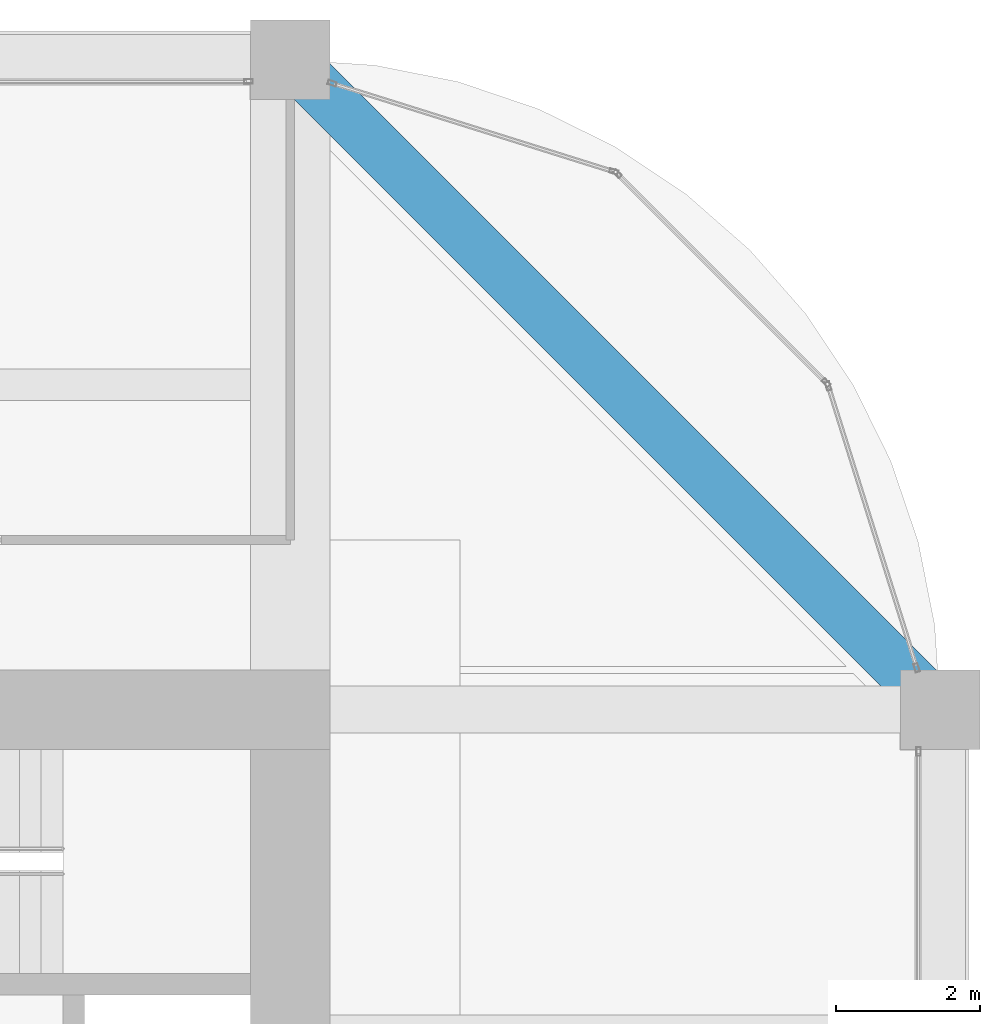
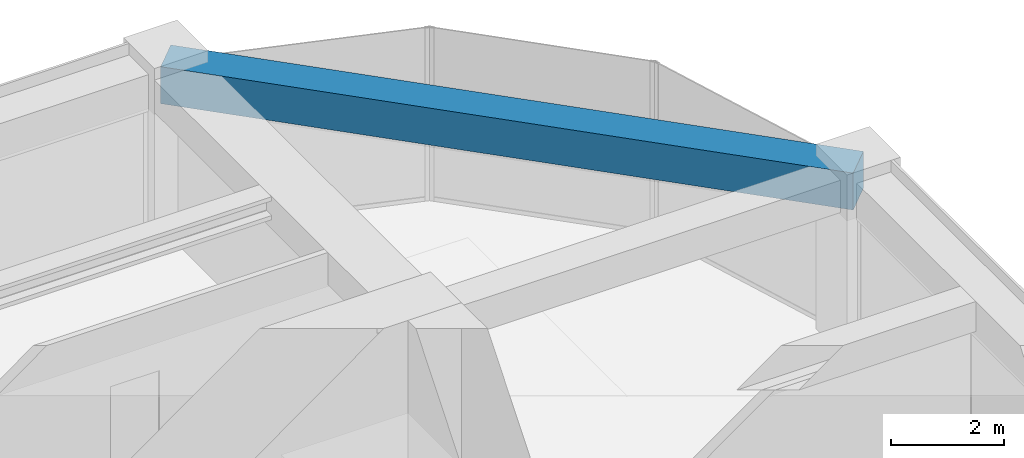
# One storey, part 38 of 44: 1 beam.
"""IFC4 building model written with IfcOpenShell, lengths in metres."""

from ifc_helpers import new_model, si_unit, direction, frame, origin, origin_2d, place, context, subcontext, project, spatial, rectangle, extrude, material, material_profile, profile_set, type_object, element, save


model = new_model("IFC4")

# Units and contexts
model_context = context("Model", 3, precision=1e-05, world=origin(), true_north=direction((0.0, 1.0)))
body_context = subcontext(model_context, "Body", "Model", "MODEL_VIEW")
ifc_project = project(units=[si_unit("LENGTHUNIT", "METRE"), si_unit("AREAUNIT", "SQUARE_METRE"), si_unit("VOLUMEUNIT", "CUBIC_METRE"), si_unit("PLANEANGLEUNIT", "RADIAN"), si_unit("MASSUNIT", "GRAM", prefix="KILO")], contexts=[model_context])

# Site, building, storey
site_placement = place(None, origin())
site = spatial("IfcSite", under=ifc_project, at=site_placement, CompositionType="ELEMENT")
building_placement = place(site_placement, origin())
building = spatial("IfcBuilding", under=site, at=building_placement, Name="Zorevar Civic Tower", CompositionType="ELEMENT")
storey_placement = place(building_placement, frame((0.0, 0.0, 299.39990234375)))
storey = spatial("IfcBuildingStorey", under=building, at=storey_placement, Name="L73", CompositionType="ELEMENT", Elevation=299.39990234375)

# Beam
ifc_material = material(Name="Concrete C50/60", Category="concrete")
ifc_material_profile = material_profile(ifc_material, rectangle(XDim=0.699951171875, YDim=0.800048828125, at=origin_2d()), Name="RC 700x800")
ifc_profile_set = profile_set([ifc_material_profile], Name="Concrete C50/60")
beam_type = type_object("IfcBeamType", Name="Edge beam RC 700x800", PredefinedType="SPANDREL", material=ifc_profile_set)
beam_placement = place(storey_placement, frame((54.0, 36.0, 3.35009765625), z_axis=(-0.707106781187, 0.707106781187, 0.0), x_axis=(-0.707106781187, -0.707106781187, 0.0)))
element("IfcBeam", 1, at=beam_placement, inside=storey, type_object=beam_type, Name="Corner edge beam L74", PredefinedType="SPANDREL", context=body_context, shape_type="SweptSolid", body=[
    extrude(rectangle(XDim=0.699951171875, YDim=0.800048828125, at=origin_2d()), origin(), (0.0, 0.0, 1.0), 12.72802734375),
])

save(model, "model.ifc")
